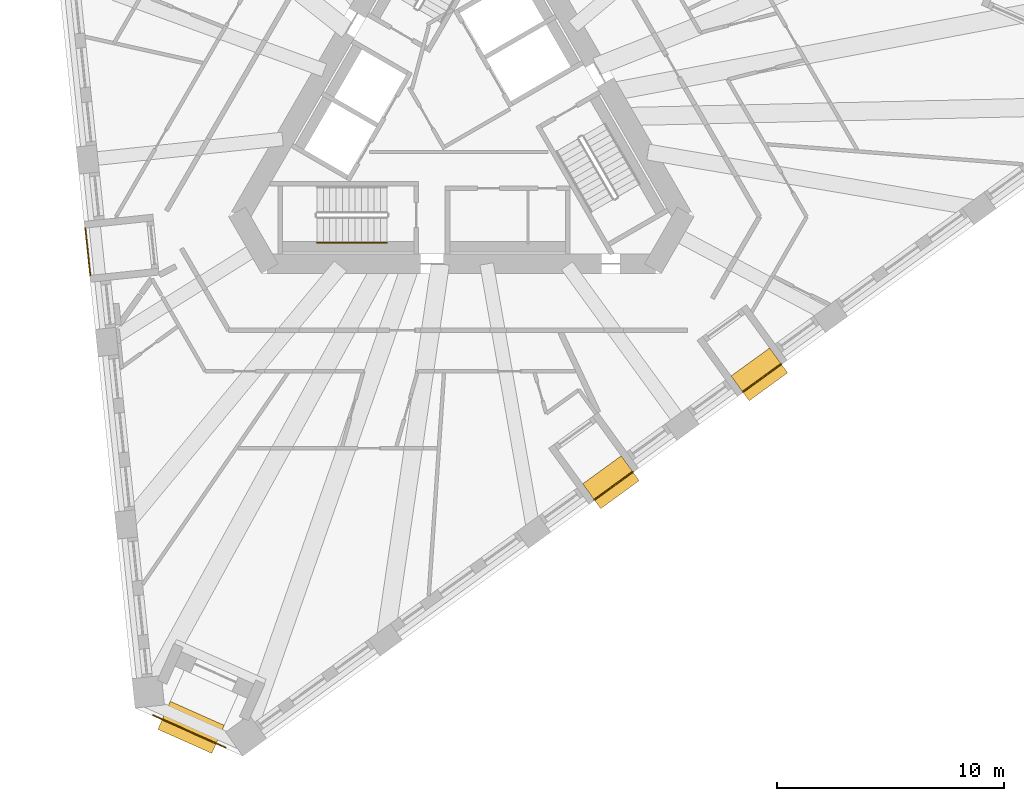
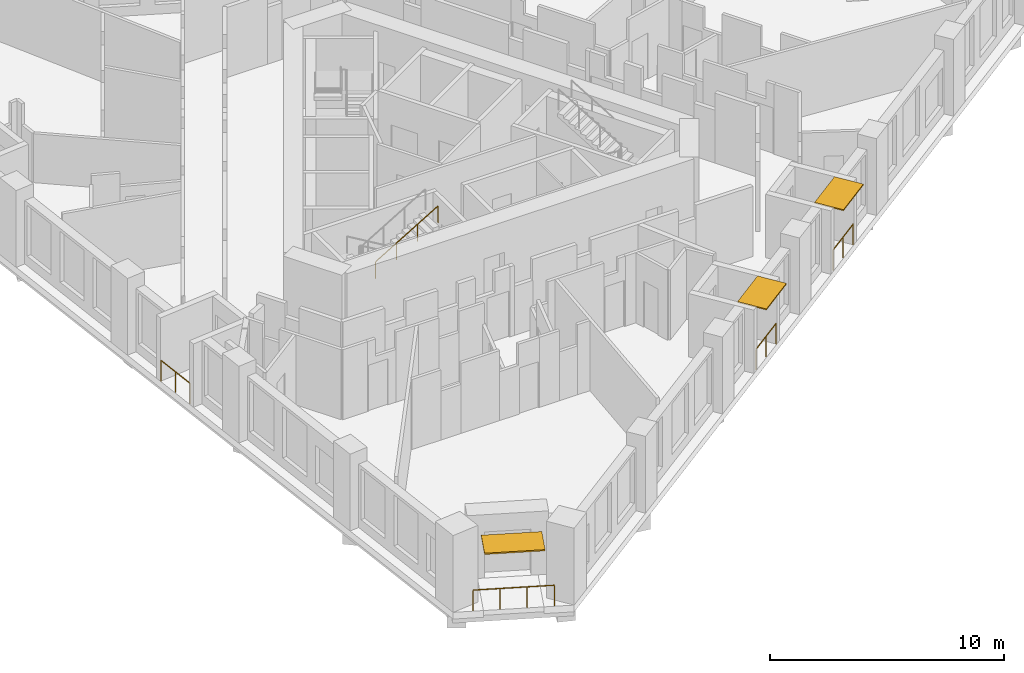
# One storey, part 10 of 14: 5 railings, 3 shading devices.
"""IFC4 building model written with IfcOpenShell, lengths in metres."""

from ifc_helpers import new_model, si_unit, direction, frame, origin, origin_2d, place, context, subcontext, project, spatial, rectangle, circle, extrude, material, layer, layer_set, type_object, element, save


model = new_model("IFC4")

# Units and contexts
model_context = context("Model", 3, precision=1e-05, world=origin(), true_north=direction((0.0, 1.0)))
body_context = subcontext(model_context, "Body", "Model", "MODEL_VIEW")
ifc_project = project(units=[si_unit("LENGTHUNIT", "METRE"), si_unit("AREAUNIT", "SQUARE_METRE"), si_unit("VOLUMEUNIT", "CUBIC_METRE"), si_unit("PLANEANGLEUNIT", "RADIAN"), si_unit("MASSUNIT", "GRAM", prefix="KILO")], contexts=[model_context])

# Site, building, storey
site_placement = place(None, origin())
site = spatial("IfcSite", under=ifc_project, at=site_placement, CompositionType="ELEMENT")
building_placement = place(site_placement, origin())
building = spatial("IfcBuilding", under=site, at=building_placement, Name="Tramontana Tower", CompositionType="ELEMENT")
storey_placement = place(building_placement, frame((0.0, 0.0, 182.800048828125)))
storey = spatial("IfcBuildingStorey", under=building, at=storey_placement, Name="L42", CompositionType="ELEMENT", Elevation=182.800048828125)

# Railings
ifc_material_1 = material(Name="Laminated glass balustrade", Category="glass")
railing_type_1 = type_object("IfcRailingType", Name="GD1 Loggia glass balustrade 1100", PredefinedType="BALUSTRADE", material=ifc_material_1)
railing_1_placement = place(storey_placement, frame((-16.56396484375, -4.751708984375, 0.0)))
element("IfcRailing", 1, at=railing_1_placement, inside=storey, type_object=railing_type_1, Name="Loggia balustrade L42 G4S0.10", PredefinedType="BALUSTRADE", context=body_context, shape_type="SweptSolid", body=[
    extrude(circle(Radius=0.02392578125, at=origin_2d()), frame((0.0, 0.0, 1.076171875), z_axis=(0.104454180193, -0.994529700029, 0.0), x_axis=(0.994529700029, 0.104454180193, 0.0)), (0.0, 0.0, 1.0), 2.09423828125),
    extrude(circle(Radius=0.02099609375, at=origin_2d()), origin(), (0.0, 0.0, 1.0), 1.052001953125),
    extrude(circle(Radius=0.02099609375, at=origin_2d()), frame((0.109375, -1.04150390625, 0.0)), (0.0, 0.0, 1.0), 1.052001953125),
    extrude(circle(Radius=0.02099609375, at=origin_2d()), frame((0.21875, -2.082763671875, 0.0)), (0.0, 0.0, 1.0), 1.052001953125),
])
for number, where, name in (
    (2, (5.85791015625, -16.719970703125, 0.0), "Loggia balustrade L42 G4S1.7"),
    (3, (12.397216796875, -11.968994140625, 0.0), "Loggia balustrade L42 G4S1.10"),
):
    element("IfcRailing", number, at=place(storey_placement, frame(where)), inside=storey, type_object=railing_type_1, Name=name, PredefinedType="BALUSTRADE", context=body_context, shape_type="SweptSolid", body=[
        extrude(circle(Radius=0.02392578125, at=origin_2d()), frame((0.0, 0.0, 1.076171875), z_axis=(0.809028366311, 0.587769599847, 0.0), x_axis=(-0.587769599847, 0.809028366311, 0.0)), (0.0, 0.0, 1.0), 2.09423828125),
        extrude(circle(Radius=0.02099609375, at=origin_2d()), origin(), (0.0, 0.0, 1.0), 1.052001953125),
        extrude(circle(Radius=0.02099609375, at=origin_2d()), frame((0.84716796875, 0.615478515625, 0.0)), (0.0, 0.0, 1.0), 1.052001953125),
        extrude(circle(Radius=0.02099609375, at=origin_2d()), frame((1.6943359375, 1.23095703125, 0.0)), (0.0, 0.0, 1.0), 1.052001953125),
    ])
railing_2_placement = place(storey_placement, frame((-10.387939453125, -27.634033203125, 0.0)))
element("IfcRailing", 4, at=railing_2_placement, inside=storey, type_object=railing_type_1, Name="Corner loggia balustrade L42 K41", PredefinedType="BALUSTRADE", context=body_context, shape_type="SweptSolid", body=[
    extrude(circle(Radius=0.02392578125, at=origin_2d()), frame((0.0, 0.0, 1.076171875), z_axis=(-0.913538066796, 0.406753242783, 0.0), x_axis=(-0.406753242783, -0.913538066796, 0.0)), (0.0, 0.0, 1.0), 3.499755859375),
    extrude(circle(Radius=0.02099609375, at=origin_2d()), origin(), (0.0, 0.0, 1.0), 1.052001953125),
    extrude(circle(Radius=0.02099609375, at=origin_2d()), frame((-1.065673828125, 0.474609375, 0.0)), (0.0, 0.0, 1.0), 1.052001953125),
    extrude(circle(Radius=0.02099609375, at=origin_2d()), frame((-2.131591796875, 0.948974609375, 0.0)), (0.0, 0.0, 1.0), 1.052001953125),
    extrude(circle(Radius=0.02099609375, at=origin_2d()), frame((-3.197265625, 1.423583984375, 0.0)), (0.0, 0.0, 1.0), 1.052001953125),
])

# Shading devices
ifc_material_2 = material(Name="Precast concrete 60 MPa", Category="concrete")
ifc_layer_1 = layer(ifc_material_2, 0.06005859375)
ifc_layer_set_1 = layer_set([ifc_layer_1], Name="SS1 Stone sunshade blade 60")
shading_device_type_1 = type_object("IfcShadingDeviceType", Name="SS1 Stone sunshade blade 60", PredefinedType="USERDEFINED", material=ifc_layer_set_1)
for number, where, z_axis, x_axis, name in (
    (5, (6.590576171875, -15.94677734375, 3.239990234375), (0.0, 0.0, 1.0), (0.809016994375, 0.587785252292, 0.0), "Sunshade L42 G4S1.7"),
    (6, (13.129638671875, -11.19580078125, 3.239990234375), (0.0, 0.0, 1.0), (0.809016994375, 0.587785252292, 0.0), "Sunshade L42 G4S1.10"),
):
    element("IfcShadingDevice", number, at=place(storey_placement, frame(where, z_axis=z_axis, x_axis=x_axis)), inside=storey, type_object=shading_device_type_1, Name=name, ObjectType="SUNSHADE", PredefinedType="USERDEFINED", context=body_context, shape_type="SweptSolid", body=[
        extrude(rectangle(XDim=2.09423828125, YDim=1.35009765625, at=origin_2d()), origin(), (0.0, 0.0, 1.0), 0.06005859375),
    ])
ifc_material_3 = material(Name="Precast concrete 60 MPa", Category="concrete")
ifc_layer_2 = layer(ifc_material_3, 0.070068359375)
ifc_layer_set_2 = layer_set([ifc_layer_2], Name="SS2 Stone sunshade blade 70")
shading_device_type_2 = type_object("IfcShadingDeviceType", Name="SS2 Stone sunshade blade 70", PredefinedType="USERDEFINED", material=ifc_layer_set_2)
shading_device_placement = place(storey_placement, frame((-11.9072265625, -26.744140625, 3.22998046875), z_axis=(0.0, 0.0, 1.0), x_axis=(-0.913545457643, 0.406736643076, 0.0)))
element("IfcShadingDevice", 7, at=shading_device_placement, inside=storey, type_object=shading_device_type_2, Name="Corner sunshade L42 K41", ObjectType="SUNSHADE", PredefinedType="USERDEFINED", context=body_context, shape_type="SweptSolid", body=[
    extrude(rectangle(XDim=2.60009765625, YDim=1.35009765625, at=origin_2d()), origin(), (0.0, 0.0, 1.0), 0.070068359375),
])

# Railing
ifc_material_4 = material(Name="Painted steel", Category="steel")
railing_type_2 = type_object("IfcRailingType", Name="STAIR HANDRAIL 900", PredefinedType="HANDRAIL", material=ifc_material_4)
railing_3_placement = place(storey_placement, frame((-6.360107421875, -5.39990234375, 2.16650390625)))
element("IfcRailing", 8, at=railing_3_placement, inside=storey, type_object=railing_type_2, Name="L42 ST2 stair handrail 2", PredefinedType="HANDRAIL", context=body_context, shape_type="SweptSolid", body=[
    extrude(circle(Radius=0.02392578125, at=origin_2d()), frame((0.0, 0.0, 0.8759765625), z_axis=(0.85927862911, 0.0, 0.511507807912), x_axis=(0.0, 1.0, 0.0)), (0.0, 0.0, 1.0), 3.58447265625),
    extrude(circle(Radius=0.02099609375, at=origin_2d()), origin(), (0.0, 0.0, 1.0), 0.851806640625),
    extrude(circle(Radius=0.02099609375, at=origin_2d()), frame((1.026611328125, 0.0, 0.611083984375)), (0.0, 0.0, 1.0), 0.851806640625),
    extrude(circle(Radius=0.02099609375, at=origin_2d()), frame((2.053466796875, 0.0, 1.222412109375)), (0.0, 0.0, 1.0), 0.851806640625),
    extrude(circle(Radius=0.02099609375, at=origin_2d()), frame((3.080078125, 0.0, 1.83349609375)), (0.0, 0.0, 1.0), 0.851806640625),
])

save(model, "model.ifc")
